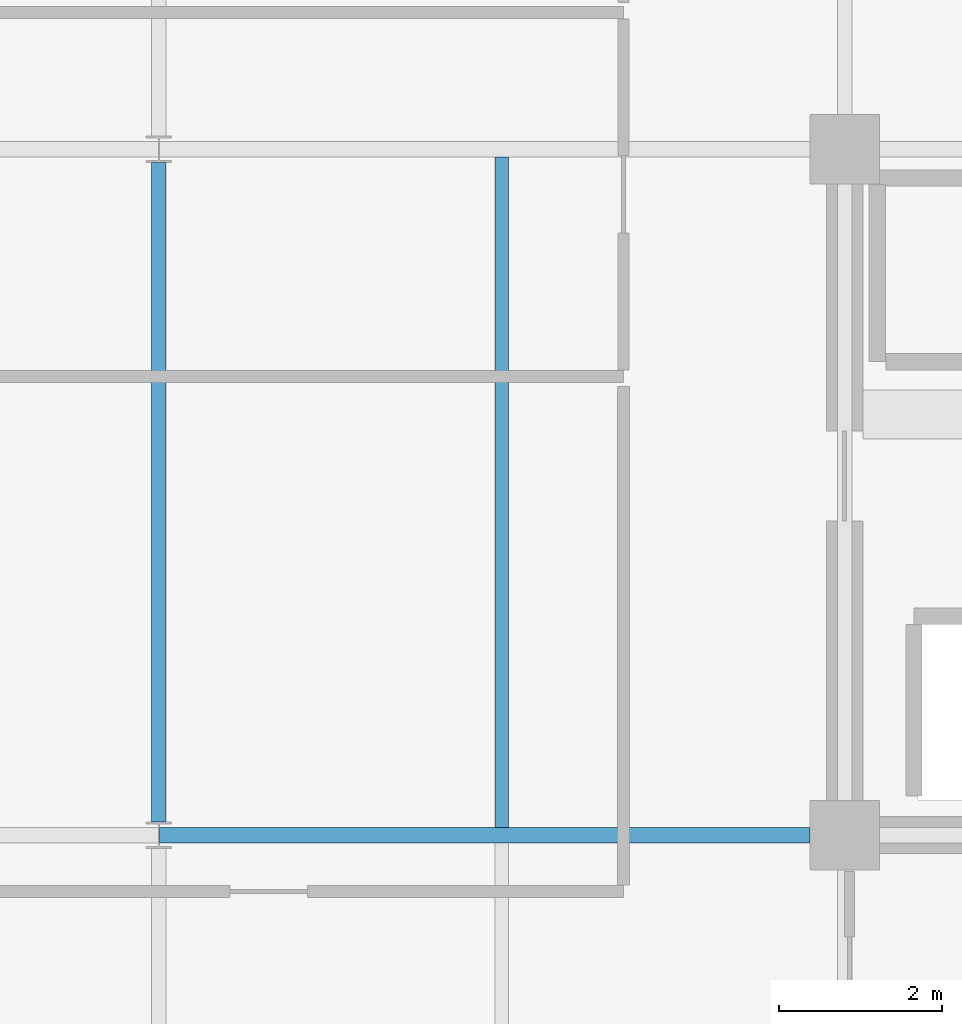
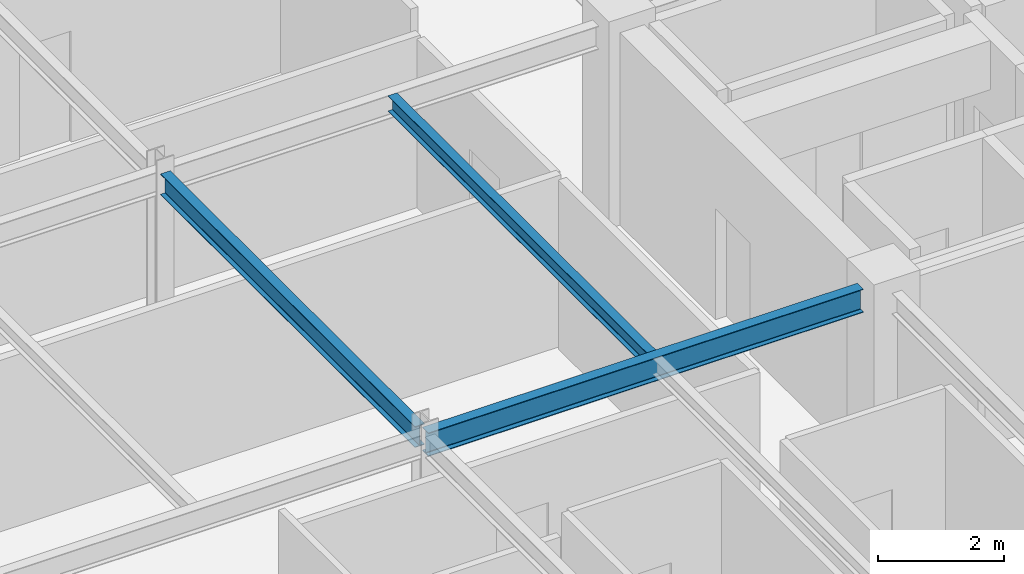
# One storey, part 6 of 24: 3 beams.
"""IFC4 building model written with IfcOpenShell, lengths in metres."""

from ifc_helpers import new_model, si_unit, direction, frame, origin, origin_2d, place, context, subcontext, project, spatial, i_section, extrude, material, material_profile, profile_set, type_object, element, save


model = new_model("IFC4")

# Units and contexts
model_context = context("Model", 3, precision=1e-05, world=origin(), true_north=direction((0.0, 1.0)))
body_context = subcontext(model_context, "Body", "Model", "MODEL_VIEW")
ifc_project = project(units=[si_unit("LENGTHUNIT", "METRE"), si_unit("AREAUNIT", "SQUARE_METRE"), si_unit("VOLUMEUNIT", "CUBIC_METRE"), si_unit("PLANEANGLEUNIT", "RADIAN"), si_unit("MASSUNIT", "GRAM", prefix="KILO")], contexts=[model_context])

# Site, building, storey
site_placement = place(None, origin())
site = spatial("IfcSite", under=ifc_project, at=site_placement, CompositionType="ELEMENT")
building_placement = place(site_placement, origin())
building = spatial("IfcBuilding", under=site, at=building_placement, Name="Nerrivon Quay Data Exchange", CompositionType="ELEMENT")
storey_placement = place(building_placement, frame((0.0, 0.0, 294.199951171875)))
storey = spatial("IfcBuildingStorey", under=building, at=storey_placement, Name="L70", CompositionType="ELEMENT", Elevation=294.199951171875)

# Beams
ifc_material = material(Name="Steel Grade 350", Category="steel")
ifc_material_profile_1 = material_profile(ifc_material, i_section(OverallWidth=0.18994140625, OverallDepth=0.4541015625, WebThickness=0.008544921875, FlangeThickness=0.0126953125, FilletRadius=0.011474609375, at=origin_2d()), Name="460UB67.1")
ifc_profile_set_1 = profile_set([ifc_material_profile_1], Name="Steel Grade 350")
beam_type_1 = type_object("IfcBeamType", Name="BM-G6-460UB67", PredefinedType="BEAM", material=ifc_profile_set_1)
beam_1_placement = place(storey_placement, frame((8.40771484375, 8.39990234375, 3.498046875), z_axis=(1.0, 0.0, 0.0), x_axis=(0.0, 1.0, 0.0)))
element("IfcBeam", 1, at=beam_1_placement, inside=storey, type_object=beam_type_1, Name="L70 EW Girder Y=8.4 (8.4..16.8)", PredefinedType="BEAM", context=body_context, shape_type="SweptSolid", body=[
    extrude(i_section(OverallWidth=0.18994140625, OverallDepth=0.4541015625, WebThickness=0.008544921875, FlangeThickness=0.0126953125, FilletRadius=0.011474609375, at=origin_2d()), origin(), (0.0, 0.0, 1.0), 7.96728515625),
])
ifc_material_profile_2 = material_profile(ifc_material, i_section(OverallWidth=0.177978515625, OverallDepth=0.406005859375, WebThickness=0.0078125, FlangeThickness=0.0126953125, FilletRadius=0.011474609375, at=origin_2d()), Name="410UB59.7")
ifc_profile_set_2 = profile_set([ifc_material_profile_2], Name="Steel Grade 350")
beam_type_2 = type_object("IfcBeamType", Name="BM-J1-410UB60", PredefinedType="JOIST", material=ifc_profile_set_2)
beam_2_placement = place(storey_placement, frame((8.39990234375, 8.5634765625, 3.52197265625), z_axis=(0.0, 1.0, 0.0), x_axis=(-1.0, 0.0, 0.0)))
element("IfcBeam", 2, at=beam_2_placement, inside=storey, type_object=beam_type_2, Name="L70 NS Girder X=8.4 (8.4..16.8)", PredefinedType="JOIST", context=body_context, shape_type="SweptSolid", body=[
    extrude(i_section(OverallWidth=0.177978515625, OverallDepth=0.406005859375, WebThickness=0.0078125, FlangeThickness=0.0126953125, FilletRadius=0.011474609375, at=origin_2d()), origin(), (0.0, 0.0, 1.0), 8.072998046875),
])
ifc_material_profile_3 = material_profile(ifc_material, i_section(OverallWidth=0.1650390625, OverallDepth=0.303955078125, WebThickness=0.006103515625, FlangeThickness=0.01025390625, FilletRadius=0.011474609375, at=origin_2d()), Name="310UB40.4")
ifc_profile_set_3 = profile_set([ifc_material_profile_3], Name="Steel Grade 350")
beam_type_3 = type_object("IfcBeamType", Name="BM-J6-310UB40", PredefinedType="JOIST", material=ifc_profile_set_3)
beam_3_placement = place(storey_placement, frame((12.60009765625, 8.4951171875, 3.572998046875), z_axis=(0.0, 1.0, 0.0), x_axis=(-1.0, 0.0, 0.0)))
element("IfcBeam", 3, at=beam_3_placement, inside=storey, type_object=beam_type_3, Name="L70 Secondary Joist X=12.6 (8.4..16.8)", PredefinedType="JOIST", context=body_context, shape_type="SweptSolid", body=[
    extrude(i_section(OverallWidth=0.1650390625, OverallDepth=0.303955078125, WebThickness=0.006103515625, FlangeThickness=0.01025390625, FilletRadius=0.011474609375, at=origin_2d()), origin(), (0.0, 0.0, 1.0), 8.2099609375),
])

save(model, "model.ifc")
